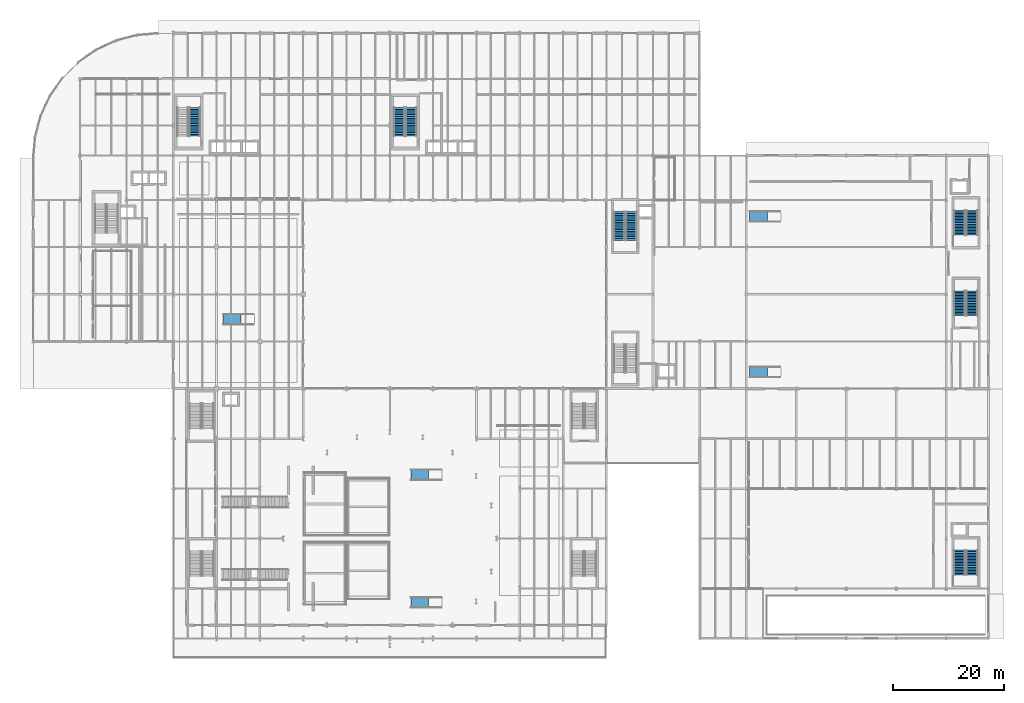
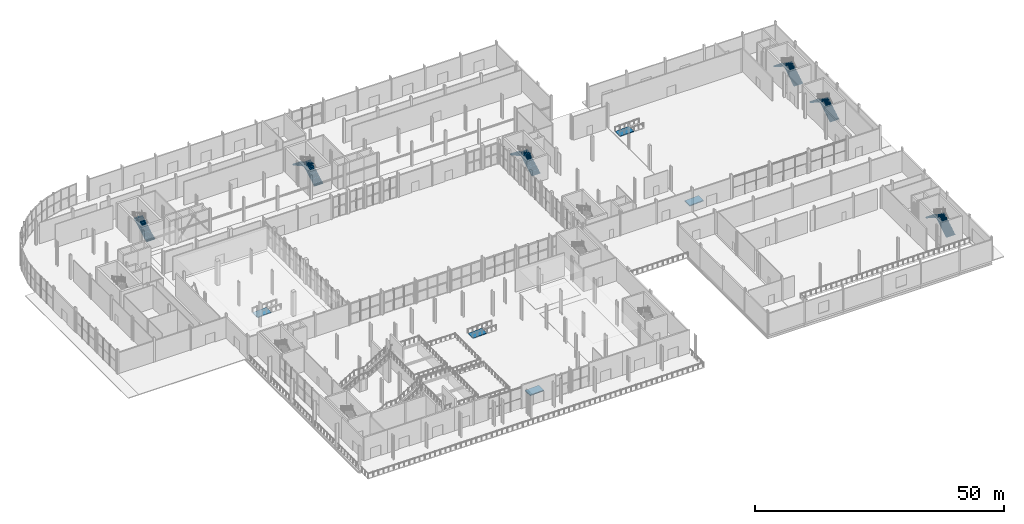
# One storey, part 65 of 84: 11 stair flights, 5 ramp flights, 11 elements without a shape of their own.
"""IFC4 building model written with IfcOpenShell, lengths in metres."""

from ifc_helpers import new_model, si_unit, direction, frame, origin, place, context, subcontext, project, spatial, polyline, outline, extrude, material, layer, layer_set, type_object, element, aggregate, save


model = new_model("IFC4")

# Units and contexts
model_context = context("Model", 3, precision=1e-05, world=origin(), true_north=direction((0.0, 1.0)))
body_context = subcontext(model_context, "Body", "Model", "MODEL_VIEW")
ifc_project = project(units=[si_unit("LENGTHUNIT", "METRE"), si_unit("AREAUNIT", "SQUARE_METRE"), si_unit("VOLUMEUNIT", "CUBIC_METRE"), si_unit("PLANEANGLEUNIT", "RADIAN"), si_unit("MASSUNIT", "GRAM", prefix="KILO")], contexts=[model_context])

# Site, building, storey
site_placement = place(None, origin())
site = spatial("IfcSite", under=ifc_project, at=site_placement, CompositionType="ELEMENT")
building_placement = place(site_placement, origin())
building = spatial("IfcBuilding", under=site, at=building_placement, Name="Sefraquen Railside Congress Hotel", CompositionType="ELEMENT")
storey_placement = place(building_placement, origin())
storey = spatial("IfcBuildingStorey", under=building, at=storey_placement, Name="L00", CompositionType="ELEMENT", Elevation=0.0)

# Stair, stair flight
ifc_material = material(Name="Concrete C40/50", Category="concrete")
stair_type_1 = type_object("IfcStairType", Name="TST-DOG-198-420", PredefinedType="HALF_TURN_STAIR", material=ifc_material)
stair_1_placement = place(storey_placement, origin())
stair_1 = element("IfcStair", 1, at=stair_1_placement, inside=storey, type_object=stair_type_1, Name="L00 Pressurized escape stair ST-H02", PredefinedType="HALF_TURN_STAIR")
stair_flight_type_1 = type_object("IfcStairFlightType", Name="TSF-FLT-198-420", PredefinedType="STRAIGHT", material=ifc_material)
stair_flight_1_placement = place(storey_placement, frame((29.070068359375, 99.47998046875, 0.0), z_axis=(0.0, 0.0, 1.0), x_axis=(0.0, 1.0, 0.0)))
stair_flight_1 = element("IfcStairFlight", 2, at=stair_flight_1_placement, type_object=stair_flight_type_1, Name="ST-H02 flight 1", NumberOfRisers=17, NumberOfTreads=16, PredefinedType="STRAIGHT", RiserHeight=0.176470588, TreadLength=0.322, context=body_context, shape_type="SweptSolid", body=[
    extrude(outline(polyline([(0.0, 0.0), (0.0, 0.176513671875), (0.322021484375, 0.176513671875), (0.322021484375, 0.35302734375), (0.64404296875, 0.35302734375), (0.64404296875, 0.529296875), (0.966064453125, 0.529296875), (0.966064453125, 0.705810546875), (1.2880859375, 0.705810546875), (1.2880859375, 0.88232421875), (1.610107421875, 0.88232421875), (1.610107421875, 1.058837890625), (1.931884765625, 1.058837890625), (1.931884765625, 1.2353515625), (2.25390625, 1.2353515625), (2.25390625, 1.411865234375), (2.575927734375, 1.411865234375), (2.575927734375, 1.588134765625), (2.89794921875, 1.588134765625), (2.89794921875, 1.7646484375), (3.219970703125, 1.7646484375), (3.219970703125, 1.941162109375), (3.5419921875, 1.941162109375), (3.5419921875, 2.11767578125), (3.864013671875, 2.11767578125), (3.864013671875, 2.294189453125), (4.18603515625, 2.294189453125), (4.18603515625, 2.470703125), (4.508056640625, 2.470703125), (4.508056640625, 2.64697265625), (4.830078125, 2.64697265625), (4.830078125, 2.823486328125), (5.152099609375, 2.823486328125), (5.152099609375, 3.0), (5.152099609375, 2.652587890625), (0.31201171875, 0.0), (0.0, 0.0)])), frame((0.0, 0.989990234375, 0.0), z_axis=(0.0, -1.0, 0.0), x_axis=(1.0, 0.0, 0.0)), (0.0, 0.0, 1.0), 1.97998046875),
])
aggregate(stair_1, [stair_flight_1])

# Stair, stair flights
stair_type_2 = type_object("IfcStairType", Name="TST-DOG-198-450", PredefinedType="HALF_TURN_STAIR", material=ifc_material)
stair_2_placement = place(storey_placement, origin())
stair_2 = element("IfcStair", 3, at=stair_2_placement, inside=storey, type_object=stair_type_2, Name="L00 Pressurized escape stair ST-H03", PredefinedType="HALF_TURN_STAIR")
stair_flight_type_2 = type_object("IfcStairFlightType", Name="TSF-FLT-198-450", PredefinedType="STRAIGHT", material=ifc_material)
stair_flight_2_placement = place(storey_placement, frame((68.070068359375, 99.47998046875, 0.0), z_axis=(0.0, 0.0, 1.0), x_axis=(0.0, 1.0, 0.0)))
stair_flight_2 = element("IfcStairFlight", 4, at=stair_flight_2_placement, type_object=stair_flight_type_2, Name="ST-H03 flight 1", NumberOfRisers=17, NumberOfTreads=16, PredefinedType="STRAIGHT", RiserHeight=0.176470588, TreadLength=0.322, context=body_context, shape_type="SweptSolid", body=[
    extrude(outline(polyline([(0.0, 0.0), (0.0, 0.176513671875), (0.322021484375, 0.176513671875), (0.322021484375, 0.35302734375), (0.64404296875, 0.35302734375), (0.64404296875, 0.529296875), (0.966064453125, 0.529296875), (0.966064453125, 0.705810546875), (1.2880859375, 0.705810546875), (1.2880859375, 0.88232421875), (1.610107421875, 0.88232421875), (1.610107421875, 1.058837890625), (1.931884765625, 1.058837890625), (1.931884765625, 1.2353515625), (2.25390625, 1.2353515625), (2.25390625, 1.411865234375), (2.575927734375, 1.411865234375), (2.575927734375, 1.588134765625), (2.89794921875, 1.588134765625), (2.89794921875, 1.7646484375), (3.219970703125, 1.7646484375), (3.219970703125, 1.941162109375), (3.5419921875, 1.941162109375), (3.5419921875, 2.11767578125), (3.864013671875, 2.11767578125), (3.864013671875, 2.294189453125), (4.18603515625, 2.294189453125), (4.18603515625, 2.470703125), (4.508056640625, 2.470703125), (4.508056640625, 2.64697265625), (4.830078125, 2.64697265625), (4.830078125, 2.823486328125), (5.152099609375, 2.823486328125), (5.152099609375, 3.0), (5.152099609375, 2.652587890625), (0.31201171875, 0.0), (0.0, 0.0)])), frame((0.0, 0.989990234375, 0.0), z_axis=(0.0, -1.0, 0.0), x_axis=(1.0, 0.0, 0.0)), (0.0, 0.0, 1.0), 1.97998046875),
])
stair_flight_3_placement = place(storey_placement, frame((65.889892578125, 104.632080078125, 3.0), z_axis=(0.0, 0.0, 1.0), x_axis=(0.0, -1.0, 0.0)))
stair_flight_3 = element("IfcStairFlight", 5, at=stair_flight_3_placement, type_object=stair_flight_type_2, Name="ST-H03 flight 2", NumberOfRisers=17, NumberOfTreads=16, PredefinedType="STRAIGHT", RiserHeight=0.176470588, TreadLength=0.322, context=body_context, shape_type="SweptSolid", body=[
    extrude(outline(polyline([(0.0, 0.0), (0.0, 0.176513671875), (0.322021484375, 0.176513671875), (0.322021484375, 0.35302734375), (0.64404296875, 0.35302734375), (0.64404296875, 0.529296875), (0.966064453125, 0.529296875), (0.966064453125, 0.705810546875), (1.2880859375, 0.705810546875), (1.2880859375, 0.88232421875), (1.610107421875, 0.88232421875), (1.610107421875, 1.058837890625), (1.931884765625, 1.058837890625), (1.931884765625, 1.2353515625), (2.25390625, 1.2353515625), (2.25390625, 1.411865234375), (2.575927734375, 1.411865234375), (2.575927734375, 1.588134765625), (2.89794921875, 1.588134765625), (2.89794921875, 1.7646484375), (3.219970703125, 1.7646484375), (3.219970703125, 1.941162109375), (3.5419921875, 1.941162109375), (3.5419921875, 2.11767578125), (3.864013671875, 2.11767578125), (3.864013671875, 2.294189453125), (4.18603515625, 2.294189453125), (4.18603515625, 2.470703125), (4.508056640625, 2.470703125), (4.508056640625, 2.64697265625), (4.830078125, 2.64697265625), (4.830078125, 2.823486328125), (5.152099609375, 2.823486328125), (5.152099609375, 3.0), (5.152099609375, 2.652587890625), (0.31201171875, 0.0), (0.0, 0.0)])), frame((0.0, 0.989990234375, 0.0), z_axis=(0.0, -1.0, 0.0), x_axis=(1.0, 0.0, 0.0)), (0.0, 0.0, 1.0), 1.97998046875),
])
aggregate(stair_2, [stair_flight_2, stair_flight_3])

stair_type_3 = type_object("IfcStairType", Name="TST-DOG-198-480", PredefinedType="HALF_TURN_STAIR", material=ifc_material)
stair_3_placement = place(storey_placement, origin())
stair_3 = element("IfcStair", 6, at=stair_3_placement, inside=storey, type_object=stair_type_3, Name="L00 Pressurized escape stair ST-M01", PredefinedType="HALF_TURN_STAIR")
stair_flight_type_3 = type_object("IfcStairFlightType", Name="TSF-FLT-198-480", PredefinedType="STRAIGHT", material=ifc_material)
stair_flight_4_placement = place(storey_placement, frame((107.669921875, 80.72998046875, 0.0), z_axis=(0.0, 0.0, 1.0), x_axis=(0.0, 1.0, 0.0)))
stair_flight_4 = element("IfcStairFlight", 7, at=stair_flight_4_placement, type_object=stair_flight_type_3, Name="ST-M01 flight 1", NumberOfRisers=17, NumberOfTreads=16, PredefinedType="STRAIGHT", RiserHeight=0.176470588, TreadLength=0.322, context=body_context, shape_type="SweptSolid", body=[
    extrude(outline(polyline([(0.0, 0.0), (0.0, 0.176513671875), (0.322021484375, 0.176513671875), (0.322021484375, 0.35302734375), (0.64404296875, 0.35302734375), (0.64404296875, 0.529296875), (0.966064453125, 0.529296875), (0.966064453125, 0.705810546875), (1.2880859375, 0.705810546875), (1.2880859375, 0.88232421875), (1.610107421875, 0.88232421875), (1.610107421875, 1.058837890625), (1.931884765625, 1.058837890625), (1.931884765625, 1.2353515625), (2.25390625, 1.2353515625), (2.25390625, 1.411865234375), (2.575927734375, 1.411865234375), (2.575927734375, 1.588134765625), (2.89794921875, 1.588134765625), (2.89794921875, 1.7646484375), (3.219970703125, 1.7646484375), (3.219970703125, 1.941162109375), (3.5419921875, 1.941162109375), (3.5419921875, 2.11767578125), (3.864013671875, 2.11767578125), (3.864013671875, 2.294189453125), (4.18603515625, 2.294189453125), (4.18603515625, 2.470703125), (4.508056640625, 2.470703125), (4.508056640625, 2.64697265625), (4.830078125, 2.64697265625), (4.830078125, 2.823486328125), (5.152099609375, 2.823486328125), (5.152099609375, 3.0), (5.152099609375, 2.652587890625), (0.31201171875, 0.0), (0.0, 0.0)])), frame((0.0, 0.989990234375, 0.0), z_axis=(0.0, -1.0, 0.0), x_axis=(1.0, 0.0, 0.0)), (0.0, 0.0, 1.0), 1.97998046875),
])
stair_flight_5_placement = place(storey_placement, frame((105.489990234375, 85.882080078125, 3.0), z_axis=(0.0, 0.0, 1.0), x_axis=(0.0, -1.0, 0.0)))
stair_flight_5 = element("IfcStairFlight", 8, at=stair_flight_5_placement, type_object=stair_flight_type_3, Name="ST-M01 flight 2", NumberOfRisers=17, NumberOfTreads=16, PredefinedType="STRAIGHT", RiserHeight=0.176470588, TreadLength=0.322, context=body_context, shape_type="SweptSolid", body=[
    extrude(outline(polyline([(0.0, 0.0), (0.0, 0.176513671875), (0.322021484375, 0.176513671875), (0.322021484375, 0.35302734375), (0.64404296875, 0.35302734375), (0.64404296875, 0.529296875), (0.966064453125, 0.529296875), (0.966064453125, 0.705810546875), (1.2880859375, 0.705810546875), (1.2880859375, 0.88232421875), (1.610107421875, 0.88232421875), (1.610107421875, 1.058837890625), (1.931884765625, 1.058837890625), (1.931884765625, 1.2353515625), (2.25390625, 1.2353515625), (2.25390625, 1.411865234375), (2.575927734375, 1.411865234375), (2.575927734375, 1.588134765625), (2.89794921875, 1.588134765625), (2.89794921875, 1.7646484375), (3.219970703125, 1.7646484375), (3.219970703125, 1.941162109375), (3.5419921875, 1.941162109375), (3.5419921875, 2.11767578125), (3.864013671875, 2.11767578125), (3.864013671875, 2.294189453125), (4.18603515625, 2.294189453125), (4.18603515625, 2.470703125), (4.508056640625, 2.470703125), (4.508056640625, 2.64697265625), (4.830078125, 2.64697265625), (4.830078125, 2.823486328125), (5.152099609375, 2.823486328125), (5.152099609375, 3.0), (5.152099609375, 2.652587890625), (0.31201171875, 0.0), (0.0, 0.0)])), frame((0.0, 0.989990234375, 0.0), z_axis=(0.0, -1.0, 0.0), x_axis=(1.0, 0.0, 0.0)), (0.0, 0.0, 1.0), 1.97998046875),
])
aggregate(stair_3, [stair_flight_4, stair_flight_5])

stair_type_4 = type_object("IfcStairType", Name="TST-DOG-205-540", PredefinedType="HALF_TURN_STAIR", material=ifc_material)
stair_4_placement = place(storey_placement, origin())
stair_4 = element("IfcStair", 9, at=stair_4_placement, inside=storey, type_object=stair_type_4, Name="L00 Pressurized escape stair ST-B02", PredefinedType="HALF_TURN_STAIR")
stair_flight_type_4 = type_object("IfcStairFlightType", Name="TSF-FLT-205-540", PredefinedType="STRAIGHT", material=ifc_material)
stair_flight_6_placement = place(storey_placement, frame((169.074951171875, 67.14990234375, 0.0), z_axis=(0.0, 0.0, 1.0), x_axis=(0.0, 1.0, 0.0)))
stair_flight_6 = element("IfcStairFlight", 10, at=stair_flight_6_placement, type_object=stair_flight_type_4, Name="ST-B02 flight 1", NumberOfRisers=17, NumberOfTreads=16, PredefinedType="STRAIGHT", RiserHeight=0.176470588, TreadLength=0.28, context=body_context, shape_type="SweptSolid", body=[
    extrude(outline(polyline([(0.0, 0.0), (0.0, 0.176513671875), (0.280029296875, 0.176513671875), (0.280029296875, 0.35302734375), (0.56005859375, 0.35302734375), (0.56005859375, 0.529296875), (0.840087890625, 0.529296875), (0.840087890625, 0.705810546875), (1.1201171875, 0.705810546875), (1.1201171875, 0.88232421875), (1.39990234375, 0.88232421875), (1.39990234375, 1.058837890625), (1.679931640625, 1.058837890625), (1.679931640625, 1.2353515625), (1.9599609375, 1.2353515625), (1.9599609375, 1.411865234375), (2.239990234375, 1.411865234375), (2.239990234375, 1.588134765625), (2.52001953125, 1.588134765625), (2.52001953125, 1.7646484375), (2.800048828125, 1.7646484375), (2.800048828125, 1.941162109375), (3.080078125, 1.941162109375), (3.080078125, 2.11767578125), (3.360107421875, 2.11767578125), (3.360107421875, 2.294189453125), (3.639892578125, 2.294189453125), (3.639892578125, 2.470703125), (3.919921875, 2.470703125), (3.919921875, 2.64697265625), (4.199951171875, 2.64697265625), (4.199951171875, 2.823486328125), (4.47998046875, 2.823486328125), (4.47998046875, 3.0), (4.47998046875, 2.646240234375), (0.28125, 0.0), (0.0, 0.0)])), frame((0.0, 1.02490234375, 0.0), z_axis=(0.0, -1.0, 0.0), x_axis=(1.0, 0.0, 0.0)), (0.0, 0.0, 1.0), 2.050048828125),
])
stair_flight_7_placement = place(storey_placement, frame((166.824951171875, 71.6298828125, 3.0), z_axis=(0.0, 0.0, 1.0), x_axis=(0.0, -1.0, 0.0)))
stair_flight_7 = element("IfcStairFlight", 11, at=stair_flight_7_placement, type_object=stair_flight_type_4, Name="ST-B02 flight 2", NumberOfRisers=17, NumberOfTreads=16, PredefinedType="STRAIGHT", RiserHeight=0.176470588, TreadLength=0.28, context=body_context, shape_type="SweptSolid", body=[
    extrude(outline(polyline([(0.0, 0.0), (0.0, 0.176513671875), (0.280029296875, 0.176513671875), (0.280029296875, 0.35302734375), (0.56005859375, 0.35302734375), (0.56005859375, 0.529296875), (0.840087890625, 0.529296875), (0.840087890625, 0.705810546875), (1.1201171875, 0.705810546875), (1.1201171875, 0.88232421875), (1.39990234375, 0.88232421875), (1.39990234375, 1.058837890625), (1.679931640625, 1.058837890625), (1.679931640625, 1.2353515625), (1.9599609375, 1.2353515625), (1.9599609375, 1.411865234375), (2.239990234375, 1.411865234375), (2.239990234375, 1.588134765625), (2.52001953125, 1.588134765625), (2.52001953125, 1.7646484375), (2.800048828125, 1.7646484375), (2.800048828125, 1.941162109375), (3.080078125, 1.941162109375), (3.080078125, 2.11767578125), (3.360107421875, 2.11767578125), (3.360107421875, 2.294189453125), (3.639892578125, 2.294189453125), (3.639892578125, 2.470703125), (3.919921875, 2.470703125), (3.919921875, 2.64697265625), (4.199951171875, 2.64697265625), (4.199951171875, 2.823486328125), (4.47998046875, 2.823486328125), (4.47998046875, 3.0), (4.47998046875, 2.646240234375), (0.28125, 0.0), (0.0, 0.0)])), frame((0.0, 1.02490234375, 0.0), z_axis=(0.0, -1.0, 0.0), x_axis=(1.0, 0.0, 0.0)), (0.0, 0.0, 1.0), 2.050048828125),
])
aggregate(stair_4, [stair_flight_6, stair_flight_7])

stair_type_5 = type_object("IfcStairType", Name="TST-DOG-205-600", PredefinedType="HALF_TURN_STAIR", material=ifc_material)
stair_5_placement = place(storey_placement, origin())
stair_5 = element("IfcStair", 12, at=stair_5_placement, inside=storey, type_object=stair_type_5, Name="L00 Pressurized escape stair ST-B01", PredefinedType="HALF_TURN_STAIR")
stair_flight_type_5 = type_object("IfcStairFlightType", Name="TSF-FLT-205-600", PredefinedType="STRAIGHT", material=ifc_material)
stair_flight_8_placement = place(storey_placement, frame((169.074951171875, 81.64990234375, 0.0), z_axis=(0.0, 0.0, 1.0), x_axis=(0.0, 1.0, 0.0)))
stair_flight_8 = element("IfcStairFlight", 13, at=stair_flight_8_placement, type_object=stair_flight_type_5, Name="ST-B01 flight 1", NumberOfRisers=17, NumberOfTreads=16, PredefinedType="STRAIGHT", RiserHeight=0.176470588, TreadLength=0.28, context=body_context, shape_type="SweptSolid", body=[
    extrude(outline(polyline([(0.0, 0.0), (0.0, 0.176513671875), (0.280029296875, 0.176513671875), (0.280029296875, 0.35302734375), (0.56005859375, 0.35302734375), (0.56005859375, 0.529296875), (0.840087890625, 0.529296875), (0.840087890625, 0.705810546875), (1.1201171875, 0.705810546875), (1.1201171875, 0.88232421875), (1.39990234375, 0.88232421875), (1.39990234375, 1.058837890625), (1.679931640625, 1.058837890625), (1.679931640625, 1.2353515625), (1.9599609375, 1.2353515625), (1.9599609375, 1.411865234375), (2.239990234375, 1.411865234375), (2.239990234375, 1.588134765625), (2.52001953125, 1.588134765625), (2.52001953125, 1.7646484375), (2.800048828125, 1.7646484375), (2.800048828125, 1.941162109375), (3.080078125, 1.941162109375), (3.080078125, 2.11767578125), (3.360107421875, 2.11767578125), (3.360107421875, 2.294189453125), (3.639892578125, 2.294189453125), (3.639892578125, 2.470703125), (3.919921875, 2.470703125), (3.919921875, 2.64697265625), (4.199951171875, 2.64697265625), (4.199951171875, 2.823486328125), (4.47998046875, 2.823486328125), (4.47998046875, 3.0), (4.47998046875, 2.646240234375), (0.28125, 0.0), (0.0, 0.0)])), frame((0.0, 1.02490234375, 0.0), z_axis=(0.0, -1.0, 0.0), x_axis=(1.0, 0.0, 0.0)), (0.0, 0.0, 1.0), 2.050048828125),
])
stair_flight_9_placement = place(storey_placement, frame((166.824951171875, 86.1298828125, 3.0), z_axis=(0.0, 0.0, 1.0), x_axis=(0.0, -1.0, 0.0)))
stair_flight_9 = element("IfcStairFlight", 14, at=stair_flight_9_placement, type_object=stair_flight_type_5, Name="ST-B01 flight 2", NumberOfRisers=17, NumberOfTreads=16, PredefinedType="STRAIGHT", RiserHeight=0.176470588, TreadLength=0.28, context=body_context, shape_type="SweptSolid", body=[
    extrude(outline(polyline([(0.0, 0.0), (0.0, 0.176513671875), (0.280029296875, 0.176513671875), (0.280029296875, 0.35302734375), (0.56005859375, 0.35302734375), (0.56005859375, 0.529296875), (0.840087890625, 0.529296875), (0.840087890625, 0.705810546875), (1.1201171875, 0.705810546875), (1.1201171875, 0.88232421875), (1.39990234375, 0.88232421875), (1.39990234375, 1.058837890625), (1.679931640625, 1.058837890625), (1.679931640625, 1.2353515625), (1.9599609375, 1.2353515625), (1.9599609375, 1.411865234375), (2.239990234375, 1.411865234375), (2.239990234375, 1.588134765625), (2.52001953125, 1.588134765625), (2.52001953125, 1.7646484375), (2.800048828125, 1.7646484375), (2.800048828125, 1.941162109375), (3.080078125, 1.941162109375), (3.080078125, 2.11767578125), (3.360107421875, 2.11767578125), (3.360107421875, 2.294189453125), (3.639892578125, 2.294189453125), (3.639892578125, 2.470703125), (3.919921875, 2.470703125), (3.919921875, 2.64697265625), (4.199951171875, 2.64697265625), (4.199951171875, 2.823486328125), (4.47998046875, 2.823486328125), (4.47998046875, 3.0), (4.47998046875, 2.646240234375), (0.28125, 0.0), (0.0, 0.0)])), frame((0.0, 1.02490234375, 0.0), z_axis=(0.0, -1.0, 0.0), x_axis=(1.0, 0.0, 0.0)), (0.0, 0.0, 1.0), 2.050048828125),
])
aggregate(stair_5, [stair_flight_8, stair_flight_9])

stair_6_placement = place(storey_placement, origin())
stair_6 = element("IfcStair", 15, at=stair_6_placement, inside=storey, type_object=stair_type_5, Name="L00 Pressurized escape stair ST-S01", PredefinedType="HALF_TURN_STAIR")
stair_flight_10_placement = place(storey_placement, frame((169.074951171875, 20.449951171875, 0.0), z_axis=(0.0, 0.0, 1.0), x_axis=(0.0, 1.0, 0.0)))
stair_flight_10 = element("IfcStairFlight", 16, at=stair_flight_10_placement, type_object=stair_flight_type_5, Name="ST-S01 flight 1", NumberOfRisers=17, NumberOfTreads=16, PredefinedType="STRAIGHT", RiserHeight=0.176470588, TreadLength=0.28, context=body_context, shape_type="SweptSolid", body=[
    extrude(outline(polyline([(0.0, 0.0), (0.0, 0.176513671875), (0.280029296875, 0.176513671875), (0.280029296875, 0.35302734375), (0.56005859375, 0.35302734375), (0.56005859375, 0.529296875), (0.840087890625, 0.529296875), (0.840087890625, 0.705810546875), (1.1201171875, 0.705810546875), (1.1201171875, 0.88232421875), (1.39990234375, 0.88232421875), (1.39990234375, 1.058837890625), (1.679931640625, 1.058837890625), (1.679931640625, 1.2353515625), (1.9599609375, 1.2353515625), (1.9599609375, 1.411865234375), (2.239990234375, 1.411865234375), (2.239990234375, 1.588134765625), (2.52001953125, 1.588134765625), (2.52001953125, 1.7646484375), (2.800048828125, 1.7646484375), (2.800048828125, 1.941162109375), (3.080078125, 1.941162109375), (3.080078125, 2.11767578125), (3.360107421875, 2.11767578125), (3.360107421875, 2.294189453125), (3.639892578125, 2.294189453125), (3.639892578125, 2.470703125), (3.919921875, 2.470703125), (3.919921875, 2.64697265625), (4.199951171875, 2.64697265625), (4.199951171875, 2.823486328125), (4.47998046875, 2.823486328125), (4.47998046875, 3.0), (4.47998046875, 2.646240234375), (0.28125, 0.0), (0.0, 0.0)])), frame((0.0, 1.02490234375, 0.0), z_axis=(0.0, -1.0, 0.0), x_axis=(1.0, 0.0, 0.0)), (0.0, 0.0, 1.0), 2.050048828125),
])
stair_flight_11_placement = place(storey_placement, frame((166.824951171875, 24.929931640625, 3.0), z_axis=(0.0, 0.0, 1.0), x_axis=(0.0, -1.0, 0.0)))
stair_flight_11 = element("IfcStairFlight", 17, at=stair_flight_11_placement, type_object=stair_flight_type_5, Name="ST-S01 flight 2", NumberOfRisers=17, NumberOfTreads=16, PredefinedType="STRAIGHT", RiserHeight=0.176470588, TreadLength=0.28, context=body_context, shape_type="SweptSolid", body=[
    extrude(outline(polyline([(0.0, 0.0), (0.0, 0.176513671875), (0.280029296875, 0.176513671875), (0.280029296875, 0.35302734375), (0.56005859375, 0.35302734375), (0.56005859375, 0.529296875), (0.840087890625, 0.529296875), (0.840087890625, 0.705810546875), (1.1201171875, 0.705810546875), (1.1201171875, 0.88232421875), (1.39990234375, 0.88232421875), (1.39990234375, 1.058837890625), (1.679931640625, 1.058837890625), (1.679931640625, 1.2353515625), (1.9599609375, 1.2353515625), (1.9599609375, 1.411865234375), (2.239990234375, 1.411865234375), (2.239990234375, 1.588134765625), (2.52001953125, 1.588134765625), (2.52001953125, 1.7646484375), (2.800048828125, 1.7646484375), (2.800048828125, 1.941162109375), (3.080078125, 1.941162109375), (3.080078125, 2.11767578125), (3.360107421875, 2.11767578125), (3.360107421875, 2.294189453125), (3.639892578125, 2.294189453125), (3.639892578125, 2.470703125), (3.919921875, 2.470703125), (3.919921875, 2.64697265625), (4.199951171875, 2.64697265625), (4.199951171875, 2.823486328125), (4.47998046875, 2.823486328125), (4.47998046875, 3.0), (4.47998046875, 2.646240234375), (0.28125, 0.0), (0.0, 0.0)])), frame((0.0, 1.02490234375, 0.0), z_axis=(0.0, -1.0, 0.0), x_axis=(1.0, 0.0, 0.0)), (0.0, 0.0, 1.0), 2.050048828125),
])
aggregate(stair_6, [stair_flight_10, stair_flight_11])

# Ramp, ramp flight
ramp_type = type_object("IfcRampType", Name="TRP-PED-01", PredefinedType="STRAIGHT_RUN_RAMP", material=ifc_material)
ramp_1_placement = place(storey_placement, origin())
ramp_1 = element("IfcRamp", 18, at=ramp_1_placement, inside=storey, type_object=ramp_type, Name="Accessible 1:20 interior dais ramp RMP-L00-PED-01", PredefinedType="STRAIGHT_RUN_RAMP")
ifc_layer = layer(ifc_material, 0.219970703125)
ifc_layer_set = layer_set([ifc_layer], Name="Concrete C40/50")
ramp_flight_type = type_object("IfcRampFlightType", Name="TRPF-PED-01", PredefinedType="STRAIGHT", material=ifc_layer_set)
ramp_flight_1_placement = place(storey_placement, frame((68.0, 15.5, 0.0), z_axis=(0.0, 0.0, 1.0), x_axis=(1.0, 0.0, 0.0)))
ramp_flight_1 = element("IfcRampFlight", 19, at=ramp_flight_1_placement, type_object=ramp_flight_type, Name="Accessible pedestrian ramp flight RMP-L00-PED-01", PredefinedType="STRAIGHT", context=body_context, shape_type="SweptSolid", body=[
    extrude(outline(polyline([(0.0, 0.0), (0.0, -0.219970703125), (3.199951171875, -0.06005859375), (3.199951171875, 0.159912109375), (0.0, 0.0)])), frame((0.0, 1.0, 0.0), z_axis=(0.0, -1.0, 0.0), x_axis=(1.0, 0.0, 0.0)), (0.0, 0.0, 1.0), 2.0),
])
aggregate(ramp_1, [ramp_flight_1])

ramp_2_placement = place(storey_placement, origin())
ramp_2 = element("IfcRamp", 20, at=ramp_2_placement, inside=storey, type_object=ramp_type, Name="Accessible 1:20 interior dais ramp RMP-L00-PED-02", PredefinedType="STRAIGHT_RUN_RAMP")
ramp_flight_2_placement = place(storey_placement, frame((68.0, 38.5, 0.0), z_axis=(0.0, 0.0, 1.0), x_axis=(1.0, 0.0, 0.0)))
ramp_flight_2 = element("IfcRampFlight", 21, at=ramp_flight_2_placement, type_object=ramp_flight_type, Name="Accessible pedestrian ramp flight RMP-L00-PED-02", PredefinedType="STRAIGHT", context=body_context, shape_type="SweptSolid", body=[
    extrude(outline(polyline([(0.0, 0.0), (0.0, -0.219970703125), (3.199951171875, -0.06005859375), (3.199951171875, 0.159912109375), (0.0, 0.0)])), frame((0.0, 1.0, 0.0), z_axis=(0.0, -1.0, 0.0), x_axis=(1.0, 0.0, 0.0)), (0.0, 0.0, 1.0), 2.0),
])
aggregate(ramp_2, [ramp_flight_2])

ramp_3_placement = place(storey_placement, origin())
ramp_3 = element("IfcRamp", 22, at=ramp_3_placement, inside=storey, type_object=ramp_type, Name="Accessible 1:20 interior dais ramp RMP-L00-PED-03", PredefinedType="STRAIGHT_RUN_RAMP")
ramp_flight_3_placement = place(storey_placement, frame((129.0, 57.0, 0.0), z_axis=(0.0, 0.0, 1.0), x_axis=(1.0, 0.0, 0.0)))
ramp_flight_3 = element("IfcRampFlight", 23, at=ramp_flight_3_placement, type_object=ramp_flight_type, Name="Accessible pedestrian ramp flight RMP-L00-PED-03", PredefinedType="STRAIGHT", context=body_context, shape_type="SweptSolid", body=[
    extrude(outline(polyline([(0.0, 0.0), (0.0, -0.219970703125), (3.199951171875, -0.06005859375), (3.199951171875, 0.159912109375), (0.0, 0.0)])), frame((0.0, 1.0, 0.0), z_axis=(0.0, -1.0, 0.0), x_axis=(1.0, 0.0, 0.0)), (0.0, 0.0, 1.0), 2.0),
])
aggregate(ramp_3, [ramp_flight_3])

ramp_4_placement = place(storey_placement, origin())
ramp_4 = element("IfcRamp", 24, at=ramp_4_placement, inside=storey, type_object=ramp_type, Name="Accessible 1:20 interior dais ramp RMP-L00-PED-04", PredefinedType="STRAIGHT_RUN_RAMP")
ramp_flight_4_placement = place(storey_placement, frame((129.0, 85.0, 0.0), z_axis=(0.0, 0.0, 1.0), x_axis=(1.0, 0.0, 0.0)))
ramp_flight_4 = element("IfcRampFlight", 25, at=ramp_flight_4_placement, type_object=ramp_flight_type, Name="Accessible pedestrian ramp flight RMP-L00-PED-04", PredefinedType="STRAIGHT", context=body_context, shape_type="SweptSolid", body=[
    extrude(outline(polyline([(0.0, 0.0), (0.0, -0.219970703125), (3.199951171875, -0.06005859375), (3.199951171875, 0.159912109375), (0.0, 0.0)])), frame((0.0, 1.0, 0.0), z_axis=(0.0, -1.0, 0.0), x_axis=(1.0, 0.0, 0.0)), (0.0, 0.0, 1.0), 2.0),
])
aggregate(ramp_4, [ramp_flight_4])

ramp_5_placement = place(storey_placement, origin())
ramp_5 = element("IfcRamp", 26, at=ramp_5_placement, inside=storey, type_object=ramp_type, Name="Accessible 1:20 interior dais ramp RMP-L00-PED-05", PredefinedType="STRAIGHT_RUN_RAMP")
ramp_flight_5_placement = place(storey_placement, frame((34.199951171875, 66.5, 0.0), z_axis=(0.0, 0.0, 1.0), x_axis=(1.0, 0.0, 0.0)))
ramp_flight_5 = element("IfcRampFlight", 27, at=ramp_flight_5_placement, type_object=ramp_flight_type, Name="Accessible pedestrian ramp flight RMP-L00-PED-05", PredefinedType="STRAIGHT", context=body_context, shape_type="SweptSolid", body=[
    extrude(outline(polyline([(0.0, 0.0), (0.0, -0.219970703125), (3.199951171875, -0.06005859375), (3.199951171875, 0.159912109375), (0.0, 0.0)])), frame((0.0, 1.0, 0.0), z_axis=(0.0, -1.0, 0.0), x_axis=(1.0, 0.0, 0.0)), (0.0, 0.0, 1.0), 2.0),
])
aggregate(ramp_5, [ramp_flight_5])

save(model, "model.ifc")
